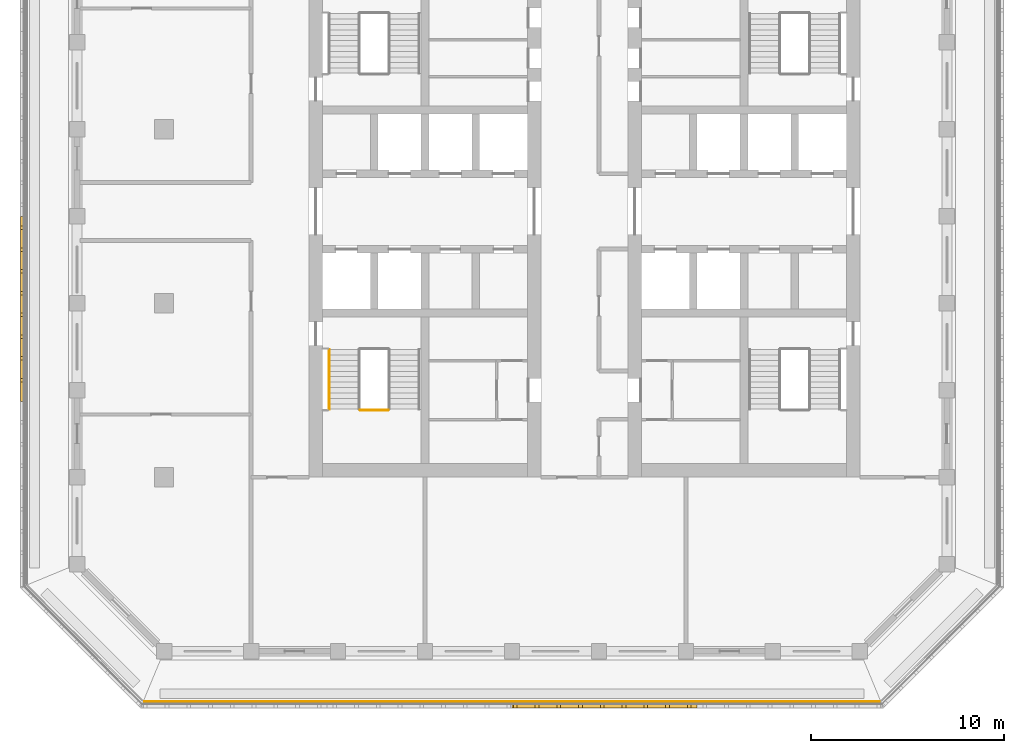
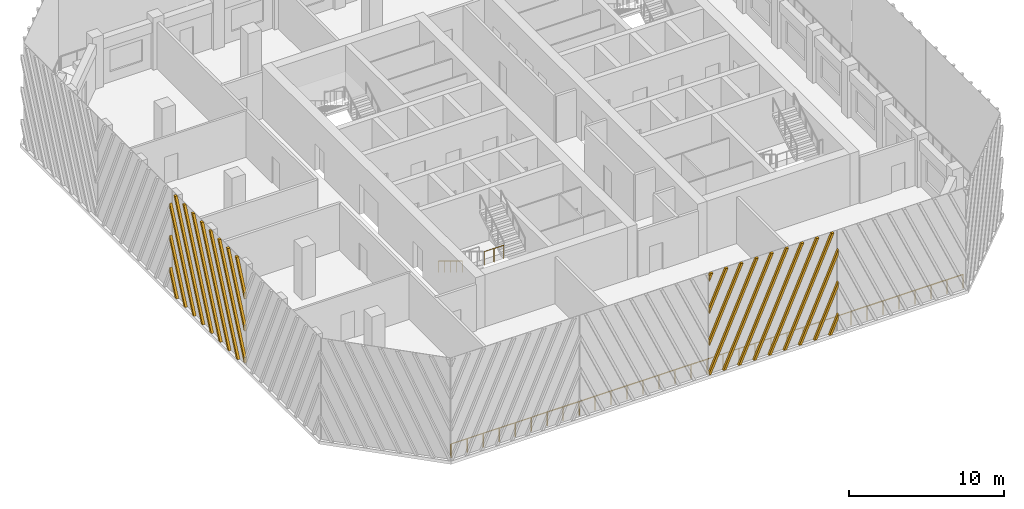
# One storey, part 9 of 15: 3 railings, 2 shading devices.
"""IFC4 building model written with IfcOpenShell, lengths in metres."""

from ifc_helpers import new_model, si_unit, direction, frame, origin, origin_2d, place, context, subcontext, project, spatial, polyline, circle, outline, extrude, source, transform, mapped, material, type_object, element, save


model = new_model("IFC4")

# Units and contexts
model_context = context("Model", 3, precision=1e-05, world=origin(), true_north=direction((0.0, 1.0)))
body_context = subcontext(model_context, "Body", "Model", "MODEL_VIEW")
ifc_project = project(units=[si_unit("LENGTHUNIT", "METRE"), si_unit("AREAUNIT", "SQUARE_METRE"), si_unit("VOLUMEUNIT", "CUBIC_METRE"), si_unit("PLANEANGLEUNIT", "RADIAN"), si_unit("MASSUNIT", "GRAM", prefix="KILO")], contexts=[model_context])

# Site, building, storey
site_placement = place(None, origin())
site = spatial("IfcSite", under=ifc_project, at=site_placement, CompositionType="ELEMENT")
building_placement = place(site_placement, origin())
building = spatial("IfcBuilding", under=site, at=building_placement, Name="Corbel Stack Research Tower", CompositionType="ELEMENT")
storey_placement = place(building_placement, frame((0.0, 0.0, 274.5)))
storey = spatial("IfcBuildingStorey", under=building, at=storey_placement, Name="L62", CompositionType="ELEMENT", Elevation=274.5)

# Railings
ifc_material_1 = material(Name="Steel S355", Category="steel")
railing_type_1 = type_object("IfcRailingType", Name="Stair guard 1100", PredefinedType="GUARDRAIL", material=ifc_material_1)
railing_1_placement = place(storey_placement, frame((-7.85009765625, -5.530029296875, 2.050048828125)))
element("IfcRailing", 1, at=railing_1_placement, inside=storey, type_object=railing_type_1, Name="L62 ST-W1 stair guard 2", PredefinedType="GUARDRAIL", context=body_context, shape_type="SweptSolid", body=[
    extrude(circle(Radius=0.02392578125, at=origin_2d()), frame((0.0, 0.0, 1.076171875), z_axis=(1.0, 0.0, 0.0), x_axis=(0.0, 1.0, 0.0)), (0.0, 0.0, 1.0), 1.4501953125),
    extrude(circle(Radius=0.02099609375, at=origin_2d()), origin(), (0.0, 0.0, 1.0), 1.052001953125),
    extrude(circle(Radius=0.02099609375, at=origin_2d()), frame((0.72509765625, 0.0, 0.0)), (0.0, 0.0, 1.0), 1.052001953125),
    extrude(circle(Radius=0.02099609375, at=origin_2d()), frame((1.4501953125, 0.0, 0.0)), (0.0, 0.0, 1.0), 1.052001953125),
])
ifc_material_2 = material(Name="Steel S355", Category="steel")
railing_type_2 = type_object("IfcRailingType", Name="Stair handrail 900", PredefinedType="HANDRAIL", material=ifc_material_2)
railing_2_placement = place(storey_placement, frame((-9.449951171875, -2.39990234375, 0.1708984375)))
element("IfcRailing", 2, at=railing_2_placement, inside=storey, type_object=railing_type_2, Name="L62 ST-W1 stair handrail 1", PredefinedType="HANDRAIL", context=body_context, shape_type="SweptSolid", body=[
    extrude(circle(Radius=0.02392578125, at=origin_2d()), frame((0.0, 0.0, 0.8759765625), z_axis=(0.0, -0.853666305674, 0.52082035152), x_axis=(1.0, 0.0, 0.0)), (0.0, 0.0, 1.0), 3.608154296875),
    extrude(circle(Radius=0.02099609375, at=origin_2d()), origin(), (0.0, 0.0, 1.0), 0.851806640625),
    extrude(circle(Radius=0.02099609375, at=origin_2d()), frame((0.0, -0.77001953125, 0.4697265625)), (0.0, 0.0, 1.0), 0.851806640625),
    extrude(circle(Radius=0.02099609375, at=origin_2d()), frame((0.0, -1.5400390625, 0.939453125)), (0.0, 0.0, 1.0), 0.851806640625),
    extrude(circle(Radius=0.02099609375, at=origin_2d()), frame((0.0, -2.31005859375, 1.409423828125)), (0.0, 0.0, 1.0), 0.851806640625),
    extrude(circle(Radius=0.02099609375, at=origin_2d()), frame((0.0, -3.080078125, 1.879150390625)), (0.0, 0.0, 1.0), 0.851806640625),
])
ifc_material_3 = material(Name="Powder-coated steel guard", Category="steel")
railing_type_3 = type_object("IfcRailingType", Name="Steel and glass guard 1100", PredefinedType="GUARDRAIL", material=ifc_material_3)
railing_3_placement = place(storey_placement, frame((-19.00537109375, -20.60009765625, 0.0)))
element("IfcRailing", 3, at=railing_3_placement, inside=storey, type_object=railing_type_3, Name="Loggia guard L62 S", PredefinedType="GUARDRAIL", context=body_context, shape_type="SweptSolid", body=[
    extrude(circle(Radius=0.02392578125, at=origin_2d()), frame((0.0, 0.0, 1.076171875), z_axis=(1.0, 0.0, 0.0), x_axis=(0.0, 1.0, 0.0)), (0.0, 0.0, 1.0), 38.0107421875),
    extrude(circle(Radius=0.02099609375, at=origin_2d()), origin(), (0.0, 0.0, 1.0), 1.052001953125),
    extrude(circle(Radius=0.02099609375, at=origin_2d()), frame((1.187744140625, 0.0, 0.0)), (0.0, 0.0, 1.0), 1.052001953125),
    extrude(circle(Radius=0.02099609375, at=origin_2d()), frame((2.375732421875, 0.0, 0.0)), (0.0, 0.0, 1.0), 1.052001953125),
    extrude(circle(Radius=0.02099609375, at=origin_2d()), frame((3.5634765625, 0.0, 0.0)), (0.0, 0.0, 1.0), 1.052001953125),
    extrude(circle(Radius=0.02099609375, at=origin_2d()), frame((4.75146484375, 0.0, 0.0)), (0.0, 0.0, 1.0), 1.052001953125),
    extrude(circle(Radius=0.02099609375, at=origin_2d()), frame((5.939208984375, 0.0, 0.0)), (0.0, 0.0, 1.0), 1.052001953125),
    extrude(circle(Radius=0.02099609375, at=origin_2d()), frame((7.126953125, 0.0, 0.0)), (0.0, 0.0, 1.0), 1.052001953125),
    extrude(circle(Radius=0.02099609375, at=origin_2d()), frame((8.31494140625, 0.0, 0.0)), (0.0, 0.0, 1.0), 1.052001953125),
    extrude(circle(Radius=0.02099609375, at=origin_2d()), frame((9.502685546875, 0.0, 0.0)), (0.0, 0.0, 1.0), 1.052001953125),
    extrude(circle(Radius=0.02099609375, at=origin_2d()), frame((10.6904296875, 0.0, 0.0)), (0.0, 0.0, 1.0), 1.052001953125),
    extrude(circle(Radius=0.02099609375, at=origin_2d()), frame((11.87841796875, 0.0, 0.0)), (0.0, 0.0, 1.0), 1.052001953125),
    extrude(circle(Radius=0.02099609375, at=origin_2d()), frame((13.066162109375, 0.0, 0.0)), (0.0, 0.0, 1.0), 1.052001953125),
    extrude(circle(Radius=0.02099609375, at=origin_2d()), frame((14.25390625, 0.0, 0.0)), (0.0, 0.0, 1.0), 1.052001953125),
    extrude(circle(Radius=0.02099609375, at=origin_2d()), frame((15.44189453125, 0.0, 0.0)), (0.0, 0.0, 1.0), 1.052001953125),
    extrude(circle(Radius=0.02099609375, at=origin_2d()), frame((16.629638671875, 0.0, 0.0)), (0.0, 0.0, 1.0), 1.052001953125),
    extrude(circle(Radius=0.02099609375, at=origin_2d()), frame((17.817626953125, 0.0, 0.0)), (0.0, 0.0, 1.0), 1.052001953125),
    extrude(circle(Radius=0.02099609375, at=origin_2d()), frame((19.00537109375, 0.0, 0.0)), (0.0, 0.0, 1.0), 1.052001953125),
    extrude(circle(Radius=0.02099609375, at=origin_2d()), frame((20.193115234375, 0.0, 0.0)), (0.0, 0.0, 1.0), 1.052001953125),
    extrude(circle(Radius=0.02099609375, at=origin_2d()), frame((21.381103515625, 0.0, 0.0)), (0.0, 0.0, 1.0), 1.052001953125),
    extrude(circle(Radius=0.02099609375, at=origin_2d()), frame((22.56884765625, 0.0, 0.0)), (0.0, 0.0, 1.0), 1.052001953125),
    extrude(circle(Radius=0.02099609375, at=origin_2d()), frame((23.7568359375, 0.0, 0.0)), (0.0, 0.0, 1.0), 1.052001953125),
    extrude(circle(Radius=0.02099609375, at=origin_2d()), frame((24.944580078125, 0.0, 0.0)), (0.0, 0.0, 1.0), 1.052001953125),
    extrude(circle(Radius=0.02099609375, at=origin_2d()), frame((26.13232421875, 0.0, 0.0)), (0.0, 0.0, 1.0), 1.052001953125),
    extrude(circle(Radius=0.02099609375, at=origin_2d()), frame((27.3203125, 0.0, 0.0)), (0.0, 0.0, 1.0), 1.052001953125),
    extrude(circle(Radius=0.02099609375, at=origin_2d()), frame((28.508056640625, 0.0, 0.0)), (0.0, 0.0, 1.0), 1.052001953125),
    extrude(circle(Radius=0.02099609375, at=origin_2d()), frame((29.69580078125, 0.0, 0.0)), (0.0, 0.0, 1.0), 1.052001953125),
    extrude(circle(Radius=0.02099609375, at=origin_2d()), frame((30.8837890625, 0.0, 0.0)), (0.0, 0.0, 1.0), 1.052001953125),
    extrude(circle(Radius=0.02099609375, at=origin_2d()), frame((32.071533203125, 0.0, 0.0)), (0.0, 0.0, 1.0), 1.052001953125),
    extrude(circle(Radius=0.02099609375, at=origin_2d()), frame((33.25927734375, 0.0, 0.0)), (0.0, 0.0, 1.0), 1.052001953125),
    extrude(circle(Radius=0.02099609375, at=origin_2d()), frame((34.447265625, 0.0, 0.0)), (0.0, 0.0, 1.0), 1.052001953125),
    extrude(circle(Radius=0.02099609375, at=origin_2d()), frame((35.635009765625, 0.0, 0.0)), (0.0, 0.0, 1.0), 1.052001953125),
    extrude(circle(Radius=0.02099609375, at=origin_2d()), frame((36.822998046875, 0.0, 0.0)), (0.0, 0.0, 1.0), 1.052001953125),
    extrude(circle(Radius=0.02099609375, at=origin_2d()), frame((38.0107421875, 0.0, 0.0)), (0.0, 0.0, 1.0), 1.052001953125),
])

# Shading devices
ifc_material_4 = material(Name="Precast terracotta", Category="masonry")
shading_device_type = type_object("IfcShadingDeviceType", Name="Terracotta screen panel", PredefinedType="USERDEFINED", material=ifc_material_4)
shared_shape_1 = source(origin(), body_context, "Body", "SweptSolid", [
    extrude(outline(polyline([(0.259521484375, 7.949951171875), (0.069580078125, 7.949951171875), (0.0, 7.793701171875), (0.0, 7.366943359375), (0.259521484375, 7.949951171875)])), frame((0.0, 0.0, 0.0), z_axis=(0.0, -1.0, 0.0), x_axis=(1.0, 0.0, 0.0)), (0.0, 0.0, 1.0), 0.179931640625),
    extrude(outline(polyline([(1.384521484375, 7.949951171875), (1.194580078125, 7.949951171875), (0.0, 5.26708984375), (0.0, 4.840087890625), (1.384521484375, 7.949951171875)])), frame((0.0, 0.0, 0.0), z_axis=(0.0, -1.0, 0.0), x_axis=(1.0, 0.0, 0.0)), (0.0, 0.0, 1.0), 0.179931640625),
    extrude(outline(polyline([(2.509521484375, 7.949951171875), (2.319580078125, 7.949951171875), (0.0, 2.740234375), (0.0, 2.3134765625), (2.509521484375, 7.949951171875)])), frame((0.0, 0.0, 0.0), z_axis=(0.0, -1.0, 0.0), x_axis=(1.0, 0.0, 0.0)), (0.0, 0.0, 1.0), 0.179931640625),
    extrude(outline(polyline([(0.094970703125, 0.0), (3.634521484375, 7.949951171875), (3.444580078125, 7.949951171875), (0.0, 0.21337890625), (0.0, 0.0), (0.094970703125, 0.0)])), frame((0.0, 0.0, 0.0), z_axis=(0.0, -1.0, 0.0), x_axis=(1.0, 0.0, 0.0)), (0.0, 0.0, 1.0), 0.179931640625),
    extrude(outline(polyline([(1.219970703125, 0.0), (4.759521484375, 7.949951171875), (4.569580078125, 7.949951171875), (1.030029296875, 0.0), (1.219970703125, 0.0)])), frame((0.0, 0.0, 0.0), z_axis=(0.0, -1.0, 0.0), x_axis=(1.0, 0.0, 0.0)), (0.0, 0.0, 1.0), 0.179931640625),
    extrude(outline(polyline([(2.344970703125, 0.0), (5.884521484375, 7.949951171875), (5.694580078125, 7.949951171875), (2.155029296875, 0.0), (2.344970703125, 0.0)])), frame((0.0, 0.0, 0.0), z_axis=(0.0, -1.0, 0.0), x_axis=(1.0, 0.0, 0.0)), (0.0, 0.0, 1.0), 0.179931640625),
    extrude(outline(polyline([(3.469970703125, 0.0), (7.009521484375, 7.949951171875), (6.819580078125, 7.949951171875), (3.280029296875, 0.0), (3.469970703125, 0.0)])), frame((0.0, 0.0, 0.0), z_axis=(0.0, -1.0, 0.0), x_axis=(1.0, 0.0, 0.0)), (0.0, 0.0, 1.0), 0.179931640625),
    extrude(outline(polyline([(4.594970703125, 0.0), (8.134521484375, 7.949951171875), (7.944580078125, 7.949951171875), (4.405029296875, 0.0), (4.594970703125, 0.0)])), frame((0.0, 0.0, 0.0), z_axis=(0.0, -1.0, 0.0), x_axis=(1.0, 0.0, 0.0)), (0.0, 0.0, 1.0), 0.179931640625),
    extrude(outline(polyline([(5.719970703125, 0.0), (9.259521484375, 7.949951171875), (9.069580078125, 7.949951171875), (5.530029296875, 0.0), (5.719970703125, 0.0)])), frame((0.0, 0.0, 0.0), z_axis=(0.0, -1.0, 0.0), x_axis=(1.0, 0.0, 0.0)), (0.0, 0.0, 1.0), 0.179931640625),
    extrude(outline(polyline([(6.844970703125, 0.0), (9.569580078125, 6.119384765625), (9.569580078125, 6.546142578125), (6.655029296875, 0.0), (6.844970703125, 0.0)])), frame((0.0, 0.0, 0.0), z_axis=(0.0, -1.0, 0.0), x_axis=(1.0, 0.0, 0.0)), (0.0, 0.0, 1.0), 0.179931640625),
    extrude(outline(polyline([(7.969970703125, 0.0), (9.569580078125, 3.592529296875), (9.569580078125, 4.019287109375), (7.780029296875, 0.0), (7.969970703125, 0.0)])), frame((0.0, 0.0, 0.0), z_axis=(0.0, -1.0, 0.0), x_axis=(1.0, 0.0, 0.0)), (0.0, 0.0, 1.0), 0.179931640625),
    extrude(outline(polyline([(9.094970703125, 0.0), (9.569580078125, 1.06591796875), (9.569580078125, 1.49267578125), (8.905029296875, 0.0), (9.094970703125, 0.0)])), frame((0.0, 0.0, 0.0), z_axis=(0.0, -1.0, 0.0), x_axis=(1.0, 0.0, 0.0)), (0.0, 0.0, 1.0), 0.179931640625),
])
shading_device_1_placement = place(storey_placement, frame((0.0, -20.75, 0.0), z_axis=(0.0, 0.0, 1.0), x_axis=(1.0, 0.0, 0.0)))
element("IfcShadingDevice", 4, at=shading_device_1_placement, inside=storey, type_object=shading_device_type, Name="Terracotta screen L62 S3", ObjectType="SCREEN", PredefinedType="USERDEFINED", context=body_context, shape_type="MappedRepresentation", body=[
    mapped(shared_shape_1, transform((0.0, 0.0, 0.0))),
])
shared_shape_2 = source(origin(), body_context, "Body", "SweptSolid", [
    extrude(outline(polyline([(0.862060546875, 0.0), (0.0, 1.936279296875), (0.0, 1.509521484375), (0.672119140625, 0.0), (0.862060546875, 0.0)])), frame((0.0, 0.0, 0.0), z_axis=(0.0, -1.0, 0.0), x_axis=(1.0, 0.0, 0.0)), (0.0, 0.0, 1.0), 0.179931640625),
    extrude(outline(polyline([(1.987060546875, 0.0), (0.0, 4.463134765625), (0.0, 4.036376953125), (1.797119140625, 0.0), (1.987060546875, 0.0)])), frame((0.0, 0.0, 0.0), z_axis=(0.0, -1.0, 0.0), x_axis=(1.0, 0.0, 0.0)), (0.0, 0.0, 1.0), 0.179931640625),
    extrude(outline(polyline([(3.112060546875, 0.0), (0.0, 6.989990234375), (0.0, 6.563232421875), (2.922119140625, 0.0), (3.112060546875, 0.0)])), frame((0.0, 0.0, 0.0), z_axis=(0.0, -1.0, 0.0), x_axis=(1.0, 0.0, 0.0)), (0.0, 0.0, 1.0), 0.179931640625),
    extrude(outline(polyline([(4.237060546875, 0.0), (0.697509765625, 7.949951171875), (0.507568359375, 7.949951171875), (4.047119140625, 0.0), (4.237060546875, 0.0)])), frame((0.0, 0.0, 0.0), z_axis=(0.0, -1.0, 0.0), x_axis=(1.0, 0.0, 0.0)), (0.0, 0.0, 1.0), 0.179931640625),
    extrude(outline(polyline([(5.362060546875, 0.0), (1.822509765625, 7.949951171875), (1.632568359375, 7.949951171875), (5.172119140625, 0.0), (5.362060546875, 0.0)])), frame((0.0, 0.0, 0.0), z_axis=(0.0, -1.0, 0.0), x_axis=(1.0, 0.0, 0.0)), (0.0, 0.0, 1.0), 0.179931640625),
    extrude(outline(polyline([(6.487060546875, 0.0), (2.947509765625, 7.949951171875), (2.757568359375, 7.949951171875), (6.297119140625, 0.0), (6.487060546875, 0.0)])), frame((0.0, 0.0, 0.0), z_axis=(0.0, -1.0, 0.0), x_axis=(1.0, 0.0, 0.0)), (0.0, 0.0, 1.0), 0.179931640625),
    extrude(outline(polyline([(7.612060546875, 0.0), (4.072509765625, 7.949951171875), (3.882568359375, 7.949951171875), (7.422119140625, 0.0), (7.612060546875, 0.0)])), frame((0.0, 0.0, 0.0), z_axis=(0.0, -1.0, 0.0), x_axis=(1.0, 0.0, 0.0)), (0.0, 0.0, 1.0), 0.179931640625),
    extrude(outline(polyline([(8.737060546875, 0.0), (5.197509765625, 7.949951171875), (5.007568359375, 7.949951171875), (8.547119140625, 0.0), (8.737060546875, 0.0)])), frame((0.0, 0.0, 0.0), z_axis=(0.0, -1.0, 0.0), x_axis=(1.0, 0.0, 0.0)), (0.0, 0.0, 1.0), 0.179931640625),
    extrude(outline(polyline([(6.322509765625, 7.949951171875), (6.132568359375, 7.949951171875), (9.569580078125, 0.23046875), (9.569580078125, 0.6572265625), (6.322509765625, 7.949951171875)])), frame((0.0, 0.0, 0.0), z_axis=(0.0, -1.0, 0.0), x_axis=(1.0, 0.0, 0.0)), (0.0, 0.0, 1.0), 0.179931640625),
    extrude(outline(polyline([(7.447509765625, 7.949951171875), (7.257568359375, 7.949951171875), (9.569580078125, 2.757080078125), (9.569580078125, 3.18408203125), (7.447509765625, 7.949951171875)])), frame((0.0, 0.0, 0.0), z_axis=(0.0, -1.0, 0.0), x_axis=(1.0, 0.0, 0.0)), (0.0, 0.0, 1.0), 0.179931640625),
    extrude(outline(polyline([(8.572509765625, 7.949951171875), (8.382568359375, 7.949951171875), (9.569580078125, 5.283935546875), (9.569580078125, 5.710693359375), (8.572509765625, 7.949951171875)])), frame((0.0, 0.0, 0.0), z_axis=(0.0, -1.0, 0.0), x_axis=(1.0, 0.0, 0.0)), (0.0, 0.0, 1.0), 0.179931640625),
])
shading_device_2_placement = place(storey_placement, frame((-25.25, 4.5, 0.0), z_axis=(0.0, 0.0, 1.0), x_axis=(0.0, -1.0, 0.0)))
element("IfcShadingDevice", 5, at=shading_device_2_placement, inside=storey, type_object=shading_device_type, Name="Terracotta screen L62 W3", ObjectType="SCREEN", PredefinedType="USERDEFINED", context=body_context, shape_type="MappedRepresentation", body=[
    mapped(shared_shape_2, transform((0.0, 0.0, 0.0))),
])

save(model, "model.ifc")
